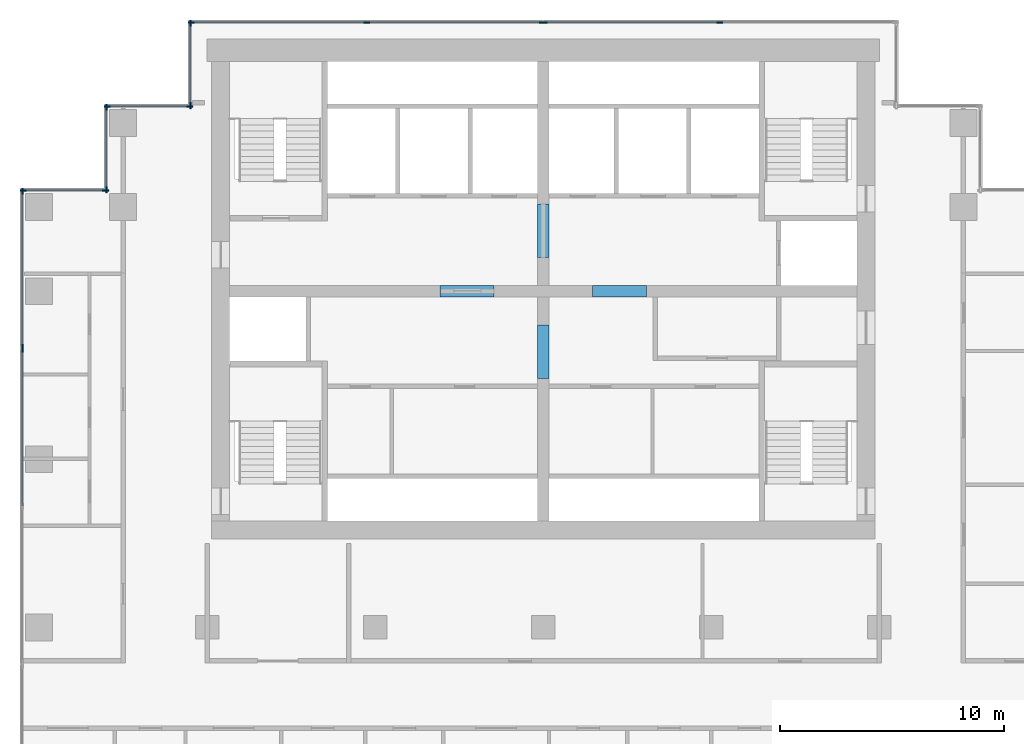
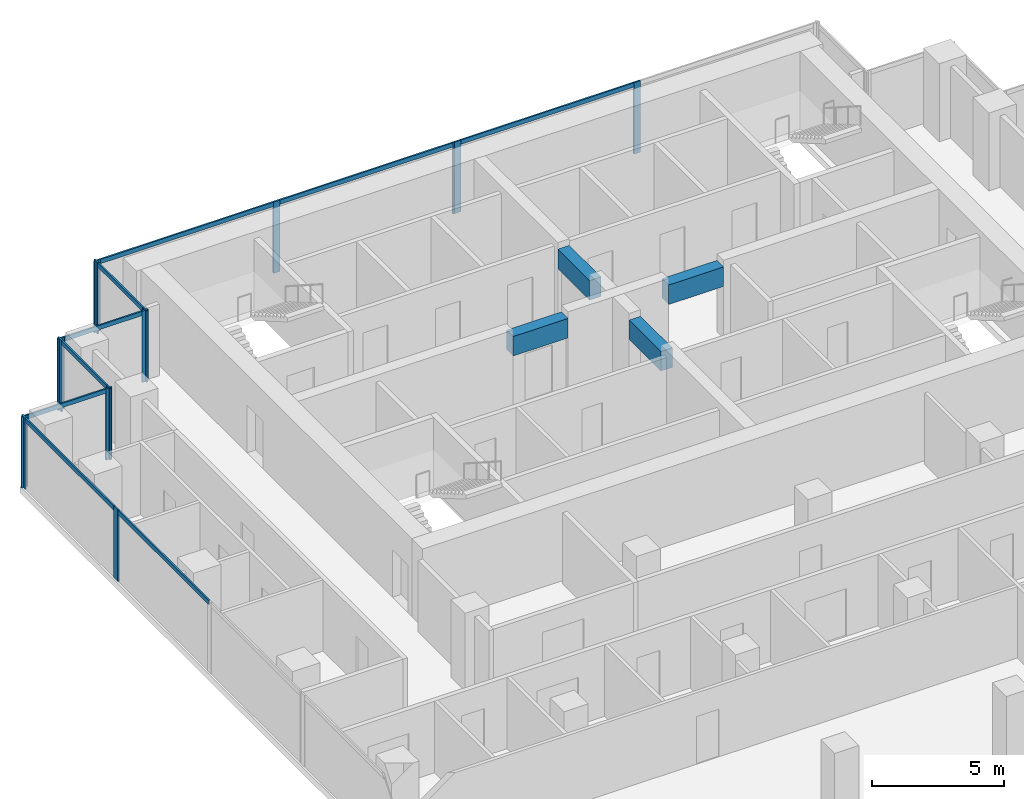
# One storey, part 4 of 10: 25 members, 4 beams, 8 elements without a shape of their own.
"""IFC4 building model written with IfcOpenShell, lengths in metres."""

from ifc_helpers import new_model, si_unit, direction, frame, origin, origin_2d, place, context, subcontext, project, spatial, rectangle, extrude, material, material_profile, profile_set, type_object, element, aggregate, save


model = new_model("IFC4")

# Units and contexts
model_context = context("Model", 3, precision=1e-05, world=origin(), true_north=direction((0.0, 1.0)))
body_context = subcontext(model_context, "Body", "Model", "MODEL_VIEW")
ifc_project = project(units=[si_unit("LENGTHUNIT", "METRE"), si_unit("AREAUNIT", "SQUARE_METRE"), si_unit("VOLUMEUNIT", "CUBIC_METRE"), si_unit("PLANEANGLEUNIT", "RADIAN"), si_unit("MASSUNIT", "GRAM", prefix="KILO")], contexts=[model_context])

# Site, building, storey
site_placement = place(None, origin())
site = spatial("IfcSite", under=ifc_project, at=site_placement, CompositionType="ELEMENT")
building_placement = place(site_placement, origin())
building = spatial("IfcBuilding", under=site, at=building_placement, Name="Pilkhan Gate Tower", CompositionType="ELEMENT")
storey_placement = place(building_placement, frame((0.0, 0.0, 169.300048828125)))
storey = spatial("IfcBuildingStorey", under=building, at=storey_placement, Name="L43", CompositionType="ELEMENT", Elevation=169.300048828125)

# Beams
ifc_material_1 = material(Name="Concrete C60/75", Category="concrete")
ifc_material_profile_1 = material_profile(ifc_material_1, rectangle(XDim=0.5, YDim=0.89990234375, at=origin_2d()), Name="RC 500x900")
ifc_profile_set_1 = profile_set([ifc_material_profile_1], Name="Concrete C60/75")
beam_type = type_object("IfcBeamType", Name="Coupling beam CB90 RC 500x900 C60/75", PredefinedType="LINTEL", material=ifc_profile_set_1)
for number, where, z_axis, x_axis, name in (
    (1, (70.39990234375, 82.5, 2.849853515625), (1.0, 0.0, 0.0), (0.0, 1.0, 0.0), "Coupling beam 1 L43"),
    (2, (77.199951171875, 82.5, 2.849853515625), (1.0, 0.0, 0.0), (0.0, 1.0, 0.0), "Coupling beam 2 L43"),
):
    element("IfcBeam", number, at=place(storey_placement, frame(where, z_axis=z_axis, x_axis=x_axis)), inside=storey, type_object=beam_type, Name=name, PredefinedType="LINTEL", context=body_context, shape_type="SweptSolid", body=[
        extrude(rectangle(XDim=0.5, YDim=0.89990234375, at=origin_2d()), origin(), (0.0, 0.0, 1.0), 2.400146484375),
    ])
for number, where, z_axis, x_axis, name in (
    (3, (75.0, 78.60009765625, 2.849853515625), (0.0, 1.0, 0.0), (-1.0, 0.0, 0.0), "Coupling beam 3 L43"),
    (4, (75.0, 84.0, 2.849853515625), (0.0, 1.0, 0.0), (-1.0, 0.0, 0.0), "Coupling beam 4 L43"),
):
    element("IfcBeam", number, at=place(storey_placement, frame(where, z_axis=z_axis, x_axis=x_axis)), inside=storey, type_object=beam_type, Name=name, PredefinedType="LINTEL", context=body_context, shape_type="SweptSolid", body=[
        extrude(rectangle(XDim=0.5, YDim=0.89990234375, at=origin_2d()), origin(), (0.0, 0.0, 1.0), 2.39990234375),
    ])

# Curtain wall, members
ifc_material_2 = material(Name="Pale anodised aluminium, clear low-iron double glazing", Category="aluminium")
curtain_wall_type = type_object("IfcCurtainWallType", Name="Office unitised curtain wall CW-O1", PredefinedType="USERDEFINED", material=ifc_material_2)
curtain_wall_1_placement = place(storey_placement, origin())
curtain_wall_1 = element("IfcCurtainWall", 5, at=curtain_wall_1_placement, inside=storey, type_object=curtain_wall_type, Name="Office unitised curtain wall CW-O1 L43 N", ObjectType="UNITISED CURTAIN WALL", PredefinedType="USERDEFINED")
ifc_material_3 = material(Name="Pale anodised aluminium", Category="aluminium")
ifc_material_profile_2 = material_profile(ifc_material_3, rectangle(XDim=0.070068359375, YDim=0.27490234375, at=origin_2d()), Name="Mullion 275x70")
ifc_profile_set_2 = profile_set([ifc_material_profile_2], Name="Pale anodised aluminium")
member_type_1 = type_object("IfcMemberType", Name="Mullion CW-O1 275x70", PredefinedType="MULLION", material=ifc_profile_set_2)
member_1_placement = place(storey_placement, frame((59.284912109375, 94.5, 0.0), z_axis=(0.0, 0.0, 1.0), x_axis=(0.0, 1.0, 0.0)))
member_1 = element("IfcMember", 6, at=member_1_placement, type_object=member_type_1, Name="CW-O1 mullion 1", PredefinedType="MULLION", context=body_context, shape_type="SweptSolid", body=[
    extrude(rectangle(XDim=0.070068359375, YDim=0.27490234375, at=origin_2d()), origin(), (0.0, 0.0, 1.0), 3.300048828125),
])
member_2_placement = place(storey_placement, frame((67.125, 94.5, 0.0), z_axis=(0.0, 0.0, 1.0), x_axis=(0.0, 1.0, 0.0)))
member_2 = element("IfcMember", 7, at=member_2_placement, type_object=member_type_1, Name="CW-O1 mullion 2", PredefinedType="MULLION", context=body_context, shape_type="SweptSolid", body=[
    extrude(rectangle(XDim=0.070068359375, YDim=0.27490234375, at=origin_2d()), origin(), (0.0, 0.0, 1.0), 3.300048828125),
])
member_3_placement = place(storey_placement, frame((74.965087890625, 94.5, 0.0), z_axis=(0.0, 0.0, 1.0), x_axis=(0.0, 1.0, 0.0)))
member_3 = element("IfcMember", 8, at=member_3_placement, type_object=member_type_1, Name="CW-O1 mullion 3", PredefinedType="MULLION", context=body_context, shape_type="SweptSolid", body=[
    extrude(rectangle(XDim=0.070068359375, YDim=0.27490234375, at=origin_2d()), origin(), (0.0, 0.0, 1.0), 3.300048828125),
])

curtain_wall_2_placement = place(storey_placement, origin())
curtain_wall_2 = element("IfcCurtainWall", 9, at=curtain_wall_2_placement, inside=storey, type_object=curtain_wall_type, Name="Office unitised curtain wall CW-O1 L43 N", ObjectType="UNITISED CURTAIN WALL", PredefinedType="USERDEFINED")
member_4_placement = place(storey_placement, frame((75.034912109375, 94.5, 0.0), z_axis=(0.0, 0.0, 1.0), x_axis=(0.0, 1.0, 0.0)))
member_4 = element("IfcMember", 10, at=member_4_placement, type_object=member_type_1, Name="CW-O1 mullion 1", PredefinedType="MULLION", context=body_context, shape_type="SweptSolid", body=[
    extrude(rectangle(XDim=0.070068359375, YDim=0.27490234375, at=origin_2d()), origin(), (0.0, 0.0, 1.0), 3.300048828125),
])
member_5_placement = place(storey_placement, frame((82.875, 94.5, 0.0), z_axis=(0.0, 0.0, 1.0), x_axis=(0.0, 1.0, 0.0)))
member_5 = element("IfcMember", 11, at=member_5_placement, type_object=member_type_1, Name="CW-O1 mullion 2", PredefinedType="MULLION", context=body_context, shape_type="SweptSolid", body=[
    extrude(rectangle(XDim=0.070068359375, YDim=0.27490234375, at=origin_2d()), origin(), (0.0, 0.0, 1.0), 3.300048828125),
])

curtain_wall_3_placement = place(storey_placement, origin())
curtain_wall_3 = element("IfcCurtainWall", 12, at=curtain_wall_3_placement, inside=storey, type_object=curtain_wall_type, Name="Office unitised curtain wall CW-O1 L43 W", ObjectType="UNITISED CURTAIN WALL", PredefinedType="USERDEFINED")
member_6_placement = place(storey_placement, frame((59.25, 90.784912109375, 0.0), z_axis=(0.0, 0.0, 1.0), x_axis=(-1.0, 0.0, 0.0)))
member_6 = element("IfcMember", 13, at=member_6_placement, type_object=member_type_1, Name="CW-O1 mullion 1", PredefinedType="MULLION", context=body_context, shape_type="SweptSolid", body=[
    extrude(rectangle(XDim=0.070068359375, YDim=0.27490234375, at=origin_2d()), origin(), (0.0, 0.0, 1.0), 3.300048828125),
])
member_7_placement = place(storey_placement, frame((59.25, 94.465087890625, 0.0), z_axis=(0.0, 0.0, 1.0), x_axis=(-1.0, 0.0, 0.0)))
member_7 = element("IfcMember", 14, at=member_7_placement, type_object=member_type_1, Name="CW-O1 mullion 2", PredefinedType="MULLION", context=body_context, shape_type="SweptSolid", body=[
    extrude(rectangle(XDim=0.070068359375, YDim=0.27490234375, at=origin_2d()), origin(), (0.0, 0.0, 1.0), 3.300048828125),
])

curtain_wall_4_placement = place(storey_placement, origin())
curtain_wall_4 = element("IfcCurtainWall", 15, at=curtain_wall_4_placement, inside=storey, type_object=curtain_wall_type, Name="Office unitised curtain wall CW-O1 L43 N", ObjectType="UNITISED CURTAIN WALL", PredefinedType="USERDEFINED")
member_8_placement = place(storey_placement, frame((55.534912109375, 90.75, 0.0), z_axis=(0.0, 0.0, 1.0), x_axis=(0.0, 1.0, 0.0)))
member_8 = element("IfcMember", 16, at=member_8_placement, type_object=member_type_1, Name="CW-O1 mullion 1", PredefinedType="MULLION", context=body_context, shape_type="SweptSolid", body=[
    extrude(rectangle(XDim=0.070068359375, YDim=0.27490234375, at=origin_2d()), origin(), (0.0, 0.0, 1.0), 3.300048828125),
])
member_9_placement = place(storey_placement, frame((59.215087890625, 90.75, 0.0), z_axis=(0.0, 0.0, 1.0), x_axis=(0.0, 1.0, 0.0)))
member_9 = element("IfcMember", 17, at=member_9_placement, type_object=member_type_1, Name="CW-O1 mullion 2", PredefinedType="MULLION", context=body_context, shape_type="SweptSolid", body=[
    extrude(rectangle(XDim=0.070068359375, YDim=0.27490234375, at=origin_2d()), origin(), (0.0, 0.0, 1.0), 3.300048828125),
])

curtain_wall_5_placement = place(storey_placement, origin())
curtain_wall_5 = element("IfcCurtainWall", 18, at=curtain_wall_5_placement, inside=storey, type_object=curtain_wall_type, Name="Office unitised curtain wall CW-O1 L43 W", ObjectType="UNITISED CURTAIN WALL", PredefinedType="USERDEFINED")
member_10_placement = place(storey_placement, frame((55.5, 87.034912109375, 0.0), z_axis=(0.0, 0.0, 1.0), x_axis=(-1.0, 0.0, 0.0)))
member_10 = element("IfcMember", 19, at=member_10_placement, type_object=member_type_1, Name="CW-O1 mullion 1", PredefinedType="MULLION", context=body_context, shape_type="SweptSolid", body=[
    extrude(rectangle(XDim=0.070068359375, YDim=0.27490234375, at=origin_2d()), origin(), (0.0, 0.0, 1.0), 3.300048828125),
])
member_11_placement = place(storey_placement, frame((55.5, 90.715087890625, 0.0), z_axis=(0.0, 0.0, 1.0), x_axis=(-1.0, 0.0, 0.0)))
member_11 = element("IfcMember", 20, at=member_11_placement, type_object=member_type_1, Name="CW-O1 mullion 2", PredefinedType="MULLION", context=body_context, shape_type="SweptSolid", body=[
    extrude(rectangle(XDim=0.070068359375, YDim=0.27490234375, at=origin_2d()), origin(), (0.0, 0.0, 1.0), 3.300048828125),
])

curtain_wall_6_placement = place(storey_placement, origin())
curtain_wall_6 = element("IfcCurtainWall", 21, at=curtain_wall_6_placement, inside=storey, type_object=curtain_wall_type, Name="Office unitised curtain wall CW-O1 L43 N", ObjectType="UNITISED CURTAIN WALL", PredefinedType="USERDEFINED")
member_12_placement = place(storey_placement, frame((51.784912109375, 87.0, 0.0), z_axis=(0.0, 0.0, 1.0), x_axis=(0.0, 1.0, 0.0)))
member_12 = element("IfcMember", 22, at=member_12_placement, type_object=member_type_1, Name="CW-O1 mullion 1", PredefinedType="MULLION", context=body_context, shape_type="SweptSolid", body=[
    extrude(rectangle(XDim=0.070068359375, YDim=0.27490234375, at=origin_2d()), origin(), (0.0, 0.0, 1.0), 3.300048828125),
])
member_13_placement = place(storey_placement, frame((55.465087890625, 87.0, 0.0), z_axis=(0.0, 0.0, 1.0), x_axis=(0.0, 1.0, 0.0)))
member_13 = element("IfcMember", 23, at=member_13_placement, type_object=member_type_1, Name="CW-O1 mullion 2", PredefinedType="MULLION", context=body_context, shape_type="SweptSolid", body=[
    extrude(rectangle(XDim=0.070068359375, YDim=0.27490234375, at=origin_2d()), origin(), (0.0, 0.0, 1.0), 3.300048828125),
])

# Curtain wall, member
curtain_wall_7_placement = place(storey_placement, origin())
curtain_wall_7 = element("IfcCurtainWall", 24, at=curtain_wall_7_placement, inside=storey, type_object=curtain_wall_type, Name="Office unitised curtain wall CW-O1 L43 W", ObjectType="UNITISED CURTAIN WALL", PredefinedType="USERDEFINED")
member_14_placement = place(storey_placement, frame((51.75, 79.9150390625, 0.0), z_axis=(0.0, 0.0, 1.0), x_axis=(-1.0, 0.0, 0.0)))
member_14 = element("IfcMember", 25, at=member_14_placement, type_object=member_type_1, Name="CW-O1 mullion 3", PredefinedType="MULLION", context=body_context, shape_type="SweptSolid", body=[
    extrude(rectangle(XDim=0.070068359375, YDim=0.27490234375, at=origin_2d()), origin(), (0.0, 0.0, 1.0), 3.300048828125),
])

# Curtain wall, members
curtain_wall_8_placement = place(storey_placement, origin())
curtain_wall_8 = element("IfcCurtainWall", 26, at=curtain_wall_8_placement, inside=storey, type_object=curtain_wall_type, Name="Office unitised curtain wall CW-O1 L43 W", ObjectType="UNITISED CURTAIN WALL", PredefinedType="USERDEFINED")
member_15_placement = place(storey_placement, frame((51.75, 79.985107421875, 0.0), z_axis=(0.0, 0.0, 1.0), x_axis=(-1.0, 0.0, 0.0)))
member_15 = element("IfcMember", 27, at=member_15_placement, type_object=member_type_1, Name="CW-O1 mullion 1", PredefinedType="MULLION", context=body_context, shape_type="SweptSolid", body=[
    extrude(rectangle(XDim=0.070068359375, YDim=0.27490234375, at=origin_2d()), origin(), (0.0, 0.0, 1.0), 3.300048828125),
])
member_16_placement = place(storey_placement, frame((51.75, 86.965087890625, 0.0), z_axis=(0.0, 0.0, 1.0), x_axis=(-1.0, 0.0, 0.0)))
member_16 = element("IfcMember", 28, at=member_16_placement, type_object=member_type_1, Name="CW-O1 mullion 2", PredefinedType="MULLION", context=body_context, shape_type="SweptSolid", body=[
    extrude(rectangle(XDim=0.070068359375, YDim=0.27490234375, at=origin_2d()), origin(), (0.0, 0.0, 1.0), 3.300048828125),
])

# Member
ifc_material_profile_3 = material_profile(ifc_material_3, rectangle(XDim=0.070068359375, YDim=0.199951171875, at=origin_2d()), Name="Transom 200x70")
ifc_profile_set_3 = profile_set([ifc_material_profile_3], Name="Pale anodised aluminium")
member_type_2 = type_object("IfcMemberType", Name="Transom CW-O1 200x70", PredefinedType="USERDEFINED", material=ifc_profile_set_3)
member_17_placement = place(storey_placement, frame((59.320068359375, 94.5, 3.199951171875), z_axis=(1.0, 0.0, 0.0), x_axis=(0.0, 1.0, 0.0)))
member_17 = element("IfcMember", 29, at=member_17_placement, type_object=member_type_2, Name="CW-O1 transom 1", ObjectType="TRANSOM", PredefinedType="USERDEFINED", context=body_context, shape_type="SweptSolid", body=[
    extrude(rectangle(XDim=0.070068359375, YDim=0.199951171875, at=origin_2d()), origin(), (0.0, 0.0, 1.0), 7.77001953125),
])

member_18_placement = place(storey_placement, frame((67.159912109375, 94.5, 3.199951171875), z_axis=(1.0, 0.0, 0.0), x_axis=(0.0, 1.0, 0.0)))
member_18 = element("IfcMember", 30, at=member_18_placement, type_object=member_type_2, Name="CW-O1 transom 2", ObjectType="TRANSOM", PredefinedType="USERDEFINED", context=body_context, shape_type="SweptSolid", body=[
    extrude(rectangle(XDim=0.070068359375, YDim=0.199951171875, at=origin_2d()), origin(), (0.0, 0.0, 1.0), 7.77001953125),
])

aggregate(curtain_wall_1, [member_1, member_2, member_3, member_17, member_18])

member_19_placement = place(storey_placement, frame((75.070068359375, 94.5, 3.199951171875), z_axis=(1.0, 0.0, 0.0), x_axis=(0.0, 1.0, 0.0)))
member_19 = element("IfcMember", 31, at=member_19_placement, type_object=member_type_2, Name="CW-O1 transom 1", ObjectType="TRANSOM", PredefinedType="USERDEFINED", context=body_context, shape_type="SweptSolid", body=[
    extrude(rectangle(XDim=0.070068359375, YDim=0.199951171875, at=origin_2d()), origin(), (0.0, 0.0, 1.0), 7.77001953125),
])

aggregate(curtain_wall_2, [member_4, member_5, member_19])

member_20_placement = place(storey_placement, frame((59.25, 90.820068359375, 3.199951171875), z_axis=(0.0, 1.0, 0.0), x_axis=(-1.0, 0.0, 0.0)))
member_20 = element("IfcMember", 32, at=member_20_placement, type_object=member_type_2, Name="CW-O1 transom 1", ObjectType="TRANSOM", PredefinedType="USERDEFINED", context=body_context, shape_type="SweptSolid", body=[
    extrude(rectangle(XDim=0.070068359375, YDim=0.199951171875, at=origin_2d()), origin(), (0.0, 0.0, 1.0), 3.60986328125),
])

aggregate(curtain_wall_3, [member_6, member_7, member_20])

member_21_placement = place(storey_placement, frame((55.570068359375, 90.75, 3.199951171875), z_axis=(1.0, 0.0, 0.0), x_axis=(0.0, 1.0, 0.0)))
member_21 = element("IfcMember", 33, at=member_21_placement, type_object=member_type_2, Name="CW-O1 transom 1", ObjectType="TRANSOM", PredefinedType="USERDEFINED", context=body_context, shape_type="SweptSolid", body=[
    extrude(rectangle(XDim=0.070068359375, YDim=0.199951171875, at=origin_2d()), origin(), (0.0, 0.0, 1.0), 3.60986328125),
])

aggregate(curtain_wall_4, [member_8, member_9, member_21])

member_22_placement = place(storey_placement, frame((55.5, 87.070068359375, 3.199951171875), z_axis=(0.0, 1.0, 0.0), x_axis=(-1.0, 0.0, 0.0)))
member_22 = element("IfcMember", 34, at=member_22_placement, type_object=member_type_2, Name="CW-O1 transom 1", ObjectType="TRANSOM", PredefinedType="USERDEFINED", context=body_context, shape_type="SweptSolid", body=[
    extrude(rectangle(XDim=0.070068359375, YDim=0.199951171875, at=origin_2d()), origin(), (0.0, 0.0, 1.0), 3.60986328125),
])

aggregate(curtain_wall_5, [member_10, member_11, member_22])

member_23_placement = place(storey_placement, frame((51.820068359375, 87.0, 3.199951171875), z_axis=(1.0, 0.0, 0.0), x_axis=(0.0, 1.0, 0.0)))
member_23 = element("IfcMember", 35, at=member_23_placement, type_object=member_type_2, Name="CW-O1 transom 1", ObjectType="TRANSOM", PredefinedType="USERDEFINED", context=body_context, shape_type="SweptSolid", body=[
    extrude(rectangle(XDim=0.070068359375, YDim=0.199951171875, at=origin_2d()), origin(), (0.0, 0.0, 1.0), 3.60986328125),
])

aggregate(curtain_wall_6, [member_12, member_13, member_23])

member_24_placement = place(storey_placement, frame((51.75, 72.93505859375, 3.199951171875), z_axis=(0.0, 1.0, 0.0), x_axis=(-1.0, 0.0, 0.0)))
member_24 = element("IfcMember", 36, at=member_24_placement, type_object=member_type_2, Name="CW-O1 transom 2", ObjectType="TRANSOM", PredefinedType="USERDEFINED", context=body_context, shape_type="SweptSolid", body=[
    extrude(rectangle(XDim=0.070068359375, YDim=0.199951171875, at=origin_2d()), origin(), (0.0, 0.0, 1.0), 6.94482421875),
])

aggregate(curtain_wall_7, [member_14, member_24])

member_25_placement = place(storey_placement, frame((51.75, 80.02001953125, 3.199951171875), z_axis=(0.0, 1.0, 0.0), x_axis=(-1.0, 0.0, 0.0)))
member_25 = element("IfcMember", 37, at=member_25_placement, type_object=member_type_2, Name="CW-O1 transom 1", ObjectType="TRANSOM", PredefinedType="USERDEFINED", context=body_context, shape_type="SweptSolid", body=[
    extrude(rectangle(XDim=0.070068359375, YDim=0.199951171875, at=origin_2d()), origin(), (0.0, 0.0, 1.0), 6.909912109375),
])

aggregate(curtain_wall_8, [member_15, member_16, member_25])

save(model, "model.ifc")
